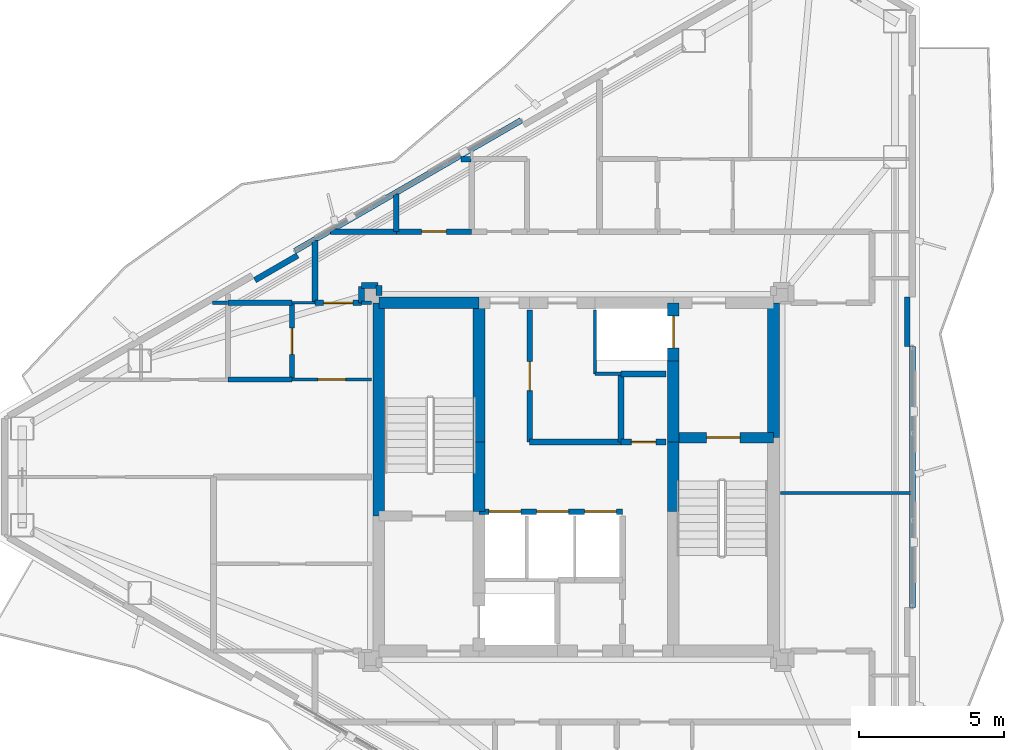
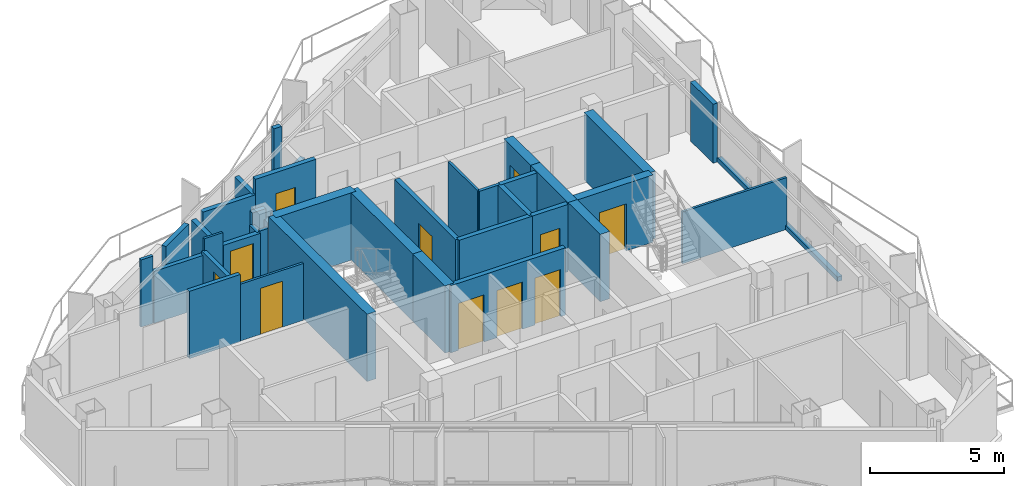
# One storey, part 18 of 22: 38 walls, 11 doors, 11 openings.
"""IFC4 building model written with IfcOpenShell, lengths in metres."""

from ifc_helpers import new_model, si_unit, direction, frame, frame_2d, origin, place, context, subcontext, project, spatial, rectangle, extrude, material, layer, layer_set, type_object, element, fill, save


model = new_model("IFC4")

# Units and contexts
model_context = context("Model", 3, precision=1e-05, world=origin(), true_north=direction((0.0, 1.0)))
body_context = subcontext(model_context, "Body", "Model", "MODEL_VIEW")
ifc_project = project(units=[si_unit("LENGTHUNIT", "METRE"), si_unit("AREAUNIT", "SQUARE_METRE"), si_unit("VOLUMEUNIT", "CUBIC_METRE"), si_unit("PLANEANGLEUNIT", "RADIAN"), si_unit("MASSUNIT", "GRAM", prefix="KILO")], contexts=[model_context])

# Site, building, storey
site_placement = place(None, origin())
site = spatial("IfcSite", under=ifc_project, at=site_placement, CompositionType="ELEMENT")
building_placement = place(site_placement, origin())
building = spatial("IfcBuilding", under=site, at=building_placement, Name="Mersakhor Tower and Convention Hall", CompositionType="ELEMENT")
storey_placement = place(building_placement, frame((0.0, 0.0, 195.300048828125)))
storey = spatial("IfcBuildingStorey", under=building, at=storey_placement, Name="L54", CompositionType="ELEMENT", Elevation=195.300048828125)

# Walls
ifc_material_1 = material(Name="Precast concrete C40/50", Category="concrete")
ifc_layer_1 = layer(ifc_material_1, 0.199951171875)
ifc_layer_set_1 = layer_set([ifc_layer_1], Name="Precast concrete C40/50")
wall_type_1 = type_object("IfcWallType", Name="WL-PAR-200", PredefinedType="PARAPET", material=ifc_layer_set_1)
wall_1_placement = place(storey_placement, frame((19.30908203125, 34.5361328125, 0.0), z_axis=(0.0, 0.0, 1.0), x_axis=(0.866020680503, 0.500008180874, 0.0)))
element("IfcWall", 1, at=wall_1_placement, inside=storey, type_object=wall_type_1, Name="L54 Curtain Wall Upstand Sill F1-B2", PredefinedType="PARAPET", context=body_context, shape_type="SweptSolid", body=[
    extrude(rectangle(XDim=8.998779296875, YDim=0.199951171875, at=frame_2d((4.49951171875, 0.0))), origin(), (0.0, 0.0, 1.0), 0.199951171875),
])
wall_2_placement = place(storey_placement, frame((17.927001953125, 33.5302734375, 0.0), z_axis=(0.0, 0.0, 1.0), x_axis=(0.86605165483, 0.499954529098, 0.0)))
element("IfcWall", 2, at=wall_2_placement, inside=storey, type_object=wall_type_1, Name="L54 Column Pier Cladding Wall F1-C1", PredefinedType="PARAPET", context=body_context, shape_type="SweptSolid", body=[
    extrude(rectangle(XDim=1.699951171875, YDim=0.199951171875, at=frame_2d((0.85009765625, 0.0))), origin(), (0.0, 0.0, 1.0), 2.68994140625),
])
wall_3_placement = place(storey_placement, frame((40.58837890625, 31.24951171875, 0.0), z_axis=(0.0, 0.0, 1.0), x_axis=(0.0, -1.0, 0.0)))
element("IfcWall", 3, at=wall_3_placement, inside=storey, type_object=wall_type_1, Name="L54 Curtain Wall Upstand Sill F2-B2", PredefinedType="PARAPET", context=body_context, shape_type="SweptSolid", body=[
    extrude(rectangle(XDim=8.9990234375, YDim=0.199951171875, at=frame_2d((4.49951171875, 0.0))), origin(), (0.0, 0.0, 1.0), 0.199951171875),
])
wall_4_placement = place(storey_placement, frame((40.408447265625, 32.949462890625, 0.0), z_axis=(0.0, 0.0, 1.0), x_axis=(0.0, -1.0, 0.0)))
element("IfcWall", 4, at=wall_4_placement, inside=storey, type_object=wall_type_1, Name="L54 Column Pier Cladding Wall F2-C1", PredefinedType="PARAPET", context=body_context, shape_type="SweptSolid", body=[
    extrude(rectangle(XDim=1.699951171875, YDim=0.199951171875, at=frame_2d((0.85009765625, 0.0))), origin(), (0.0, 0.0, 1.0), 2.68994140625),
])

# Wall, opening, door
ifc_material_2 = material(Name="Moisture-resistant acoustic drywall studwork", Category="other")
ifc_layer_2 = layer(ifc_material_2, 0.175048828125)
ifc_layer_set_2 = layer_set([ifc_layer_2], Name="Moisture-resistant acoustic drywall studwork")
wall_type_2 = type_object("IfcWallType", Name="WL-PLM-175", PredefinedType="PLUMBINGWALL", material=ifc_layer_set_2)
wall_5_placement = place(storey_placement, frame((19.199951171875, 30.10009765625, 0.0), z_axis=(0.0, 0.0, 1.0), x_axis=(0.0, 1.0, 0.0)))
wall_5 = element("IfcWall", 5, at=wall_5_placement, inside=storey, type_object=wall_type_2, Name="L54 Interior Partition Wall P-059", PredefinedType="PLUMBINGWALL", context=body_context, shape_type="SweptSolid", body=[
    extrude(rectangle(XDim=2.64990234375, YDim=0.175048828125, at=frame_2d((1.324951171875, 0.0))), origin(), (0.0, 0.0, 1.0), 2.518310546875),
])
opening_1_placement = place(wall_5_placement, frame((0.875, 0.0, 0.0)))
opening_1 = element("IfcOpeningElement", 6, at=opening_1_placement, cuts=wall_5, Name="Opening WD-01", PredefinedType="OPENING", context=body_context, shape_type="SweptSolid", body=[
    extrude(rectangle(XDim=0.89990234375, YDim=2.10009765625, at=frame_2d((0.449951171875, 1.050048828125))), frame((0.0, 0.097412109375, 0.0), z_axis=(0.0, -1.0, 0.0), x_axis=(1.0, 0.0, 0.0)), (0.0, 0.0, 1.0), 0.195068359375),
])
ifc_material_3 = material(Name="Solid-core hardwood leaf in painted steel frame", Category="steel")
door_type_1 = type_object("IfcDoorType", Name="DR-INT-WET-090x210", OperationType="NOTDEFINED", PredefinedType="DOOR", material=ifc_material_3)
door_1_placement = place(opening_1_placement, origin())
door_1 = element("IfcDoor", 7, at=door_1_placement, inside=storey, type_object=door_type_1, Name="L54 L54 Flat W4 Apartment Hall to L54 Flat W4 Bathroom Door", OperationType="SINGLE_SWING_LEFT", OverallHeight=2.10009765625, OverallWidth=0.89990234375, PredefinedType="DOOR", context=body_context, shape_type="SweptSolid", body=[
    extrude(rectangle(XDim=0.89990234375, YDim=2.10009765625, at=frame_2d((0.449951171875, 1.050048828125))), frame((0.0, 0.02490234375, 0.0), z_axis=(0.0, -1.0, 0.0), x_axis=(1.0, 0.0, 0.0)), (0.0, 0.0, 1.0), 0.050048828125),
])
fill(opening_1, door_1)

# Walls
wall_6_placement = place(storey_placement, frame((17.0, 32.75, 0.0), z_axis=(0.0, 0.0, 1.0), x_axis=(1.0, 0.0, 0.0)))
element("IfcWall", 8, at=wall_6_placement, inside=storey, type_object=wall_type_2, Name="L54 Interior Partition Wall P-076", PredefinedType="PLUMBINGWALL", context=body_context, shape_type="SweptSolid", body=[
    extrude(rectangle(XDim=2.199951171875, YDim=0.175048828125, at=frame_2d((1.10009765625, 0.0))), origin(), (0.0, 0.0, 1.0), 2.364990234375),
])
wall_7_placement = place(storey_placement, frame((19.199951171875, 30.10009765625, 0.0), z_axis=(0.0, 0.0, 1.0), x_axis=(-1.0, 0.0, 0.0)))
element("IfcWall", 9, at=wall_7_placement, inside=storey, type_object=wall_type_2, Name="L54 Interior Partition Wall P-077", PredefinedType="PLUMBINGWALL", context=body_context, shape_type="SweptSolid", body=[
    extrude(rectangle(XDim=2.199951171875, YDim=0.175048828125, at=frame_2d((1.10009765625, 0.0))), origin(), (0.0, 0.0, 1.0), 3.070068359375),
])
ifc_material_4 = material(Name="Lightweight gypsum partition", Category="other")
ifc_layer_3 = layer(ifc_material_4, 0.10009765625)
ifc_layer_set_3 = layer_set([ifc_layer_3], Name="Lightweight gypsum partition")
wall_type_3 = type_object("IfcWallType", Name="WL-PRT-100", PredefinedType="PARTITIONING", material=ifc_layer_set_3)
wall_8_placement = place(storey_placement, frame((29.64990234375, 30.300048828125, 0.0), z_axis=(0.0, 0.0, 1.0), x_axis=(0.0, 1.0, 0.0)))
element("IfcWall", 10, at=wall_8_placement, inside=storey, type_object=wall_type_3, Name="L54 Interior Partition Wall P-006", PredefinedType="PARTITIONING", context=body_context, shape_type="SweptSolid", body=[
    extrude(rectangle(XDim=2.199951171875, YDim=0.10009765625, at=frame_2d((1.10009765625, 0.0))), origin(), (0.0, 0.0, 1.0), 3.070068359375),
])
wall_9_placement = place(storey_placement, frame((19.199951171875, 32.75, 0.0), z_axis=(0.0, 0.0, 1.0), x_axis=(1.0, 0.0, 0.0)))
element("IfcWall", 11, at=wall_9_placement, inside=storey, type_object=wall_type_3, Name="L54 Interior Partition Wall P-056", PredefinedType="PARTITIONING", context=body_context, shape_type="SweptSolid", body=[
    extrude(rectangle(XDim=0.800048828125, YDim=0.10009765625, at=frame_2d((0.39990234375, 0.0))), origin(), (0.0, 0.0, 1.0), 3.070068359375),
])

# Wall, opening, door
wall_10_placement = place(storey_placement, frame((21.949951171875, 30.10009765625, 0.0), z_axis=(0.0, 0.0, 1.0), x_axis=(-1.0, 0.0, 0.0)))
wall_10 = element("IfcWall", 12, at=wall_10_placement, inside=storey, type_object=wall_type_3, Name="L54 Interior Partition Wall P-058", PredefinedType="PARTITIONING", context=body_context, shape_type="SweptSolid", body=[
    extrude(rectangle(XDim=2.75, YDim=0.10009765625, at=frame_2d((1.375, 0.0))), origin(), (0.0, 0.0, 1.0), 2.594970703125),
])
opening_2_placement = place(wall_10_placement, frame((0.89990234375, 0.0, 0.0)))
opening_2 = element("IfcOpeningElement", 13, at=opening_2_placement, cuts=wall_10, Name="Opening RD-01", PredefinedType="OPENING", context=body_context, shape_type="SweptSolid", body=[
    extrude(rectangle(XDim=0.949951171875, YDim=2.10009765625, at=frame_2d((0.47509765625, 1.050048828125))), frame((0.0, 0.06005859375, 0.0), z_axis=(0.0, -1.0, 0.0), x_axis=(1.0, 0.0, 0.0)), (0.0, 0.0, 1.0), 0.1201171875),
])
ifc_material_5 = material(Name="Solid-core hardwood leaf in painted steel frame", Category="steel")
door_type_2 = type_object("IfcDoorType", Name="DR-INT-RM-095x210", OperationType="NOTDEFINED", PredefinedType="DOOR", material=ifc_material_5)
door_2_placement = place(opening_2_placement, origin())
door_2 = element("IfcDoor", 14, at=door_2_placement, inside=storey, type_object=door_type_2, Name="L54 L54 Flat W4 Apartment Hall to L54 Flat W4 Living and Dining Room Door", OperationType="SINGLE_SWING_RIGHT", OverallHeight=2.10009765625, OverallWidth=0.949951171875, PredefinedType="DOOR", context=body_context, shape_type="SweptSolid", body=[
    extrude(rectangle(XDim=0.949951171875, YDim=2.10009765625, at=frame_2d((0.47509765625, 1.050048828125))), frame((0.0, 0.02490234375, 0.0), z_axis=(0.0, -1.0, 0.0), x_axis=(1.0, 0.0, 0.0)), (0.0, 0.0, 1.0), 0.050048828125),
])
fill(opening_2, door_2)

# Walls
wall_11_placement = place(storey_placement, frame((40.55029296875, 26.199951171875, 0.0), z_axis=(0.0, 0.0, 1.0), x_axis=(-1.0, 0.0, 0.0)))
element("IfcWall", 15, at=wall_11_placement, inside=storey, type_object=wall_type_3, Name="L54 Interior Partition Wall P-092", PredefinedType="PARTITIONING", context=body_context, shape_type="SweptSolid", body=[
    extrude(rectangle(XDim=4.500244140625, YDim=0.10009765625, at=frame_2d((2.25, 0.0))), origin(), (0.0, 0.0, 1.0), 2.364990234375),
])
ifc_material_6 = material(Name="Gypsum board acoustic partition", Category="other")
ifc_layer_4 = layer(ifc_material_6, 0.125)
ifc_layer_set_4 = layer_set([ifc_layer_4], Name="Gypsum board acoustic partition")
wall_type_4 = type_object("IfcWallType", Name="WL-PRT-125", PredefinedType="PARTITIONING", material=ifc_layer_set_4)
wall_12_placement = place(storey_placement, frame((30.550048828125, 30.300048828125, 0.0), z_axis=(0.0, 0.0, 1.0), x_axis=(-1.0, 0.0, 0.0)))
element("IfcWall", 16, at=wall_12_placement, inside=storey, type_object=wall_type_4, Name="L54 Interior Partition Wall P-005", PredefinedType="PARTITIONING", context=body_context, shape_type="SweptSolid", body=[
    extrude(rectangle(XDim=0.900146484375, YDim=0.125, at=frame_2d((0.4501953125, 0.0))), origin(), (0.0, 0.0, 1.0), 3.070068359375),
])
wall_13_placement = place(storey_placement, frame((21.60009765625, 32.75, 0.0), z_axis=(0.0, 0.0, 1.0), x_axis=(1.0, 0.0, 0.0)))
element("IfcWall", 17, at=wall_13_placement, inside=storey, type_object=wall_type_4, Name="L54 Interior Partition Wall P-057", PredefinedType="PARTITIONING", context=body_context, shape_type="SweptSolid", body=[
    extrude(rectangle(XDim=0.349853515625, YDim=0.125, at=frame_2d((0.1748046875, 0.0))), origin(), (0.0, 0.0, 1.0), 2.594970703125),
])
wall_14_placement = place(storey_placement, frame((16.463623046875, 32.75, 0.0), z_axis=(0.0, 0.0, 1.0), x_axis=(1.0, 0.0, 0.0)))
element("IfcWall", 18, at=wall_14_placement, inside=storey, type_object=wall_type_4, Name="L54 Interior Partition Wall P-081", PredefinedType="PARTITIONING", context=body_context, shape_type="SweptSolid", body=[
    extrude(rectangle(XDim=0.521484375, YDim=0.125, at=frame_2d((0.2607421875, 0.0))), origin(), (0.0, 0.0, 1.0), 3.070068359375),
])

# Wall, openings, doors
ifc_material_7 = material(Name="Acoustic concrete blockwork and gypsum board", Category="masonry")
ifc_layer_5 = layer(ifc_material_7, 0.199951171875)
ifc_layer_set_5 = layer_set([ifc_layer_5], Name="Acoustic concrete blockwork and gypsum board")
wall_type_5 = type_object("IfcWallType", Name="WL-PRT-200", PredefinedType="PARTITIONING", material=ifc_layer_set_5)
wall_15_placement = place(storey_placement, frame((25.64990234375, 25.550048828125, 0.0), z_axis=(0.0, 0.0, 1.0), x_axis=(1.0, 0.0, 0.0)))
wall_15 = element("IfcWall", 19, at=wall_15_placement, inside=storey, type_object=wall_type_5, Name="L54 High-Rise Lift Bank Front Wall", PredefinedType="PARTITIONING", context=body_context, shape_type="SweptSolid", body=[
    extrude(rectangle(XDim=4.9501953125, YDim=0.199951171875, at=frame_2d((2.47509765625, 0.0))), origin(), (0.0, 0.0, 1.0), 3.070068359375),
])
opening_3_placement = place(wall_15_placement, frame((0.340087890625, 0.0, 0.0)))
opening_3 = element("IfcOpeningElement", 20, at=opening_3_placement, cuts=wall_15, Name="Opening LD-P4", PredefinedType="OPENING", context=body_context, shape_type="SweptSolid", body=[
    extrude(rectangle(XDim=1.10009765625, YDim=2.14990234375, at=frame_2d((0.550048828125, 1.074951171875))), frame((0.0, 0.10986328125, 0.0), z_axis=(0.0, -1.0, 0.0), x_axis=(1.0, 0.0, 0.0)), (0.0, 0.0, 1.0), 0.219970703125),
])
opening_4_placement = place(wall_15_placement, frame((1.989990234375, 0.0, 0.0)))
opening_4 = element("IfcOpeningElement", 21, at=opening_4_placement, cuts=wall_15, Name="Opening LD-P5", PredefinedType="OPENING", context=body_context, shape_type="SweptSolid", body=[
    extrude(rectangle(XDim=1.10009765625, YDim=2.14990234375, at=frame_2d((0.550048828125, 1.074951171875))), frame((0.0, 0.10986328125, 0.0), z_axis=(0.0, -1.0, 0.0), x_axis=(1.0, 0.0, 0.0)), (0.0, 0.0, 1.0), 0.219970703125),
])
opening_5_placement = place(wall_15_placement, frame((3.639892578125, 0.0, 0.0)))
opening_5 = element("IfcOpeningElement", 22, at=opening_5_placement, cuts=wall_15, Name="Opening LD-P6", PredefinedType="OPENING", context=body_context, shape_type="SweptSolid", body=[
    extrude(rectangle(XDim=1.10009765625, YDim=2.14990234375, at=frame_2d((0.550048828125, 1.074951171875))), frame((0.0, 0.10986328125, 0.0), z_axis=(0.0, -1.0, 0.0), x_axis=(1.0, 0.0, 0.0)), (0.0, 0.0, 1.0), 0.219970703125),
])
ifc_material_8 = material(Name="Fire-rated brushed stainless steel sliding landing door", Category="steel")
door_type_3 = type_object("IfcDoorType", Name="DR-LIFT-SLD-110x215", OperationType="NOTDEFINED", PredefinedType="DOOR", material=ifc_material_8)
door_3_placement = place(opening_3_placement, origin())
door_3 = element("IfcDoor", 23, at=door_3_placement, inside=storey, type_object=door_type_3, Name="L54 Lift Landing Door LD-P4", OperationType="SLIDING_TO_LEFT", OverallHeight=2.14990234375, OverallWidth=1.10009765625, PredefinedType="DOOR", context=body_context, shape_type="SweptSolid", body=[
    extrude(rectangle(XDim=1.10009765625, YDim=2.14990234375, at=frame_2d((0.550048828125, 1.074951171875))), frame((0.0, 0.02490234375, 0.0), z_axis=(0.0, -1.0, 0.0), x_axis=(1.0, 0.0, 0.0)), (0.0, 0.0, 1.0), 0.050048828125),
])
fill(opening_3, door_3)
door_4_placement = place(opening_4_placement, origin())
door_4 = element("IfcDoor", 24, at=door_4_placement, inside=storey, type_object=door_type_3, Name="L54 Lift Landing Door LD-P5", OperationType="SLIDING_TO_LEFT", OverallHeight=2.14990234375, OverallWidth=1.10009765625, PredefinedType="DOOR", context=body_context, shape_type="SweptSolid", body=[
    extrude(rectangle(XDim=1.10009765625, YDim=2.14990234375, at=frame_2d((0.550048828125, 1.074951171875))), frame((0.0, 0.02490234375, 0.0), z_axis=(0.0, -1.0, 0.0), x_axis=(1.0, 0.0, 0.0)), (0.0, 0.0, 1.0), 0.050048828125),
])
fill(opening_4, door_4)
door_5_placement = place(opening_5_placement, origin())
door_5 = element("IfcDoor", 25, at=door_5_placement, inside=storey, type_object=door_type_3, Name="L54 Lift Landing Door LD-P6", OperationType="SLIDING_TO_LEFT", OverallHeight=2.14990234375, OverallWidth=1.10009765625, PredefinedType="DOOR", context=body_context, shape_type="SweptSolid", body=[
    extrude(rectangle(XDim=1.10009765625, YDim=2.14990234375, at=frame_2d((0.550048828125, 1.074951171875))), frame((0.0, 0.02490234375, 0.0), z_axis=(0.0, -1.0, 0.0), x_axis=(1.0, 0.0, 0.0)), (0.0, 0.0, 1.0), 0.050048828125),
])
fill(opening_5, door_5)

# Wall
wall_16_placement = place(storey_placement, frame((32.10009765625, 30.300048828125, 0.0), z_axis=(0.0, 0.0, 1.0), x_axis=(-1.0, 0.0, 0.0)))
element("IfcWall", 26, at=wall_16_placement, inside=storey, type_object=wall_type_5, Name="L54 Interior Partition Wall P-004", PredefinedType="PARTITIONING", context=body_context, shape_type="SweptSolid", body=[
    extrude(rectangle(XDim=1.550048828125, YDim=0.199951171875, at=frame_2d((0.77490234375, 0.0))), origin(), (0.0, 0.0, 1.0), 3.070068359375),
])

# Wall, opening, door
wall_17_placement = place(storey_placement, frame((27.39990234375, 32.5, 0.0), z_axis=(0.0, 0.0, 1.0), x_axis=(0.0, -1.0, 0.0)))
wall_17 = element("IfcWall", 27, at=wall_17_placement, inside=storey, type_object=wall_type_5, Name="L54 Interior Partition Wall P-013", PredefinedType="PARTITIONING", context=body_context, shape_type="SweptSolid", body=[
    extrude(rectangle(XDim=4.550048828125, YDim=0.199951171875, at=frame_2d((2.27490234375, 0.0))), origin(), (0.0, 0.0, 1.0), 3.070068359375),
])
opening_6_placement = place(wall_17_placement, frame((1.77490234375, 0.0, 0.0)))
opening_6 = element("IfcOpeningElement", 28, at=opening_6_placement, cuts=wall_17, Name="Opening FD-01", PredefinedType="OPENING", context=body_context, shape_type="SweptSolid", body=[
    extrude(rectangle(XDim=1.0, YDim=2.14990234375, at=frame_2d((0.5, 1.074951171875))), frame((0.0, 0.10986328125, 0.0), z_axis=(0.0, -1.0, 0.0), x_axis=(1.0, 0.0, 0.0)), (0.0, 0.0, 1.0), 0.219970703125),
])
ifc_material_9 = material(Name="Fire-rated hardwood leaf and painted steel frame", Category="steel")
door_type_4 = type_object("IfcDoorType", Name="DR-INT-FLT-100x215", OperationType="NOTDEFINED", PredefinedType="DOOR", material=ifc_material_9)
door_6_placement = place(opening_6_placement, origin())
door_6 = element("IfcDoor", 29, at=door_6_placement, inside=storey, type_object=door_type_4, Name="L54 Central Passenger Lift Lobby to Quiet Core Study Room Door", OperationType="SINGLE_SWING_LEFT", OverallHeight=2.14990234375, OverallWidth=1.0, PredefinedType="DOOR", context=body_context, shape_type="SweptSolid", body=[
    extrude(rectangle(XDim=1.0, YDim=2.14990234375, at=frame_2d((0.5, 1.074951171875))), frame((0.0, 0.02490234375, 0.0), z_axis=(0.0, -1.0, 0.0), x_axis=(1.0, 0.0, 0.0)), (0.0, 0.0, 1.0), 0.050048828125),
])
fill(opening_6, door_6)

# Wall
wall_18_placement = place(storey_placement, frame((27.39990234375, 27.949951171875, 0.0), z_axis=(0.0, 0.0, 1.0), x_axis=(1.0, 0.0, 0.0)))
element("IfcWall", 30, at=wall_18_placement, inside=storey, type_object=wall_type_5, Name="L54 Interior Partition Wall P-014", PredefinedType="PARTITIONING", context=body_context, shape_type="SweptSolid", body=[
    extrude(rectangle(XDim=3.150146484375, YDim=0.199951171875, at=frame_2d((1.5751953125, 0.0))), origin(), (0.0, 0.0, 1.0), 3.070068359375),
])

# Wall, opening, door
wall_19_placement = place(storey_placement, frame((30.550048828125, 27.949951171875, 0.0), z_axis=(0.0, 0.0, 1.0), x_axis=(1.0, 0.0, 0.0)))
wall_19 = element("IfcWall", 31, at=wall_19_placement, inside=storey, type_object=wall_type_5, Name="L54 Interior Partition Wall P-015", PredefinedType="PARTITIONING", context=body_context, shape_type="SweptSolid", body=[
    extrude(rectangle(XDim=1.550048828125, YDim=0.199951171875, at=frame_2d((0.77490234375, 0.0))), origin(), (0.0, 0.0, 1.0), 3.070068359375),
])
opening_7_placement = place(wall_19_placement, frame((0.35009765625, 0.0, 0.0)))
opening_7 = element("IfcOpeningElement", 32, at=opening_7_placement, cuts=wall_19, Name="Opening SVD-01", PredefinedType="OPENING", context=body_context, shape_type="SweptSolid", body=[
    extrude(rectangle(XDim=0.85009765625, YDim=2.10009765625, at=frame_2d((0.425048828125, 1.050048828125))), frame((0.0, 0.10986328125, 0.0), z_axis=(0.0, -1.0, 0.0), x_axis=(1.0, 0.0, 0.0)), (0.0, 0.0, 1.0), 0.219970703125),
])
ifc_material_10 = material(Name="Fire-rated hardwood leaf and painted steel frame", Category="steel")
door_type_5 = type_object("IfcDoorType", Name="DR-INT-SVC-085x210", OperationType="NOTDEFINED", PredefinedType="DOOR", material=ifc_material_10)
door_7_placement = place(opening_7_placement, origin())
door_7 = element("IfcDoor", 33, at=door_7_placement, inside=storey, type_object=door_type_5, Name="L54 Central Passenger Lift Lobby to Housekeeping Linen Store Room Door", OperationType="SINGLE_SWING_RIGHT", OverallHeight=2.10009765625, OverallWidth=0.85009765625, PredefinedType="DOOR", context=body_context, shape_type="SweptSolid", body=[
    extrude(rectangle(XDim=0.85009765625, YDim=2.10009765625, at=frame_2d((0.425048828125, 1.050048828125))), frame((0.0, 0.02490234375, 0.0), z_axis=(0.0, -1.0, 0.0), x_axis=(1.0, 0.0, 0.0)), (0.0, 0.0, 1.0), 0.050048828125),
])
fill(opening_7, door_7)

# Walls
wall_20_placement = place(storey_placement, frame((22.199951171875, 33.0, 0.0), z_axis=(0.0, 0.0, 1.0), x_axis=(0.0, 1.0, 0.0)))
element("IfcWall", 34, at=wall_20_placement, inside=storey, type_object=wall_type_5, Name="L54 Interior Partition Wall P-022", PredefinedType="PARTITIONING", context=body_context, shape_type="SweptSolid", body=[
    extrude(rectangle(XDim=0.35009765625, YDim=0.199951171875, at=frame_2d((0.175048828125, 0.0))), origin(), (0.0, 0.0, 1.0), 2.594970703125),
])
wall_21_placement = place(storey_placement, frame((22.169921875, 33.35009765625, 0.0), z_axis=(0.0, 0.0, 1.0), x_axis=(-1.0, 0.0, 0.0)))
element("IfcWall", 35, at=wall_21_placement, inside=storey, type_object=wall_type_5, Name="L54 Interior Partition Wall P-023", PredefinedType="PARTITIONING", context=body_context, shape_type="SweptSolid", body=[
    extrude(rectangle(XDim=0.56982421875, YDim=0.199951171875, at=frame_2d((0.284912109375, 0.0))), origin(), (0.0, 0.0, 1.0), 3.070068359375),
])
wall_22_placement = place(storey_placement, frame((21.60009765625, 33.320068359375, 0.0), z_axis=(0.0, 0.0, 1.0), x_axis=(0.0, -1.0, 0.0)))
element("IfcWall", 36, at=wall_22_placement, inside=storey, type_object=wall_type_5, Name="L54 Interior Partition Wall P-024", PredefinedType="PARTITIONING", context=body_context, shape_type="SweptSolid", body=[
    extrude(rectangle(XDim=0.570068359375, YDim=0.199951171875, at=frame_2d((0.28515625, 0.0))), origin(), (0.0, 0.0, 1.0), 2.518310546875),
])

# Wall, opening, door
wall_23_placement = place(storey_placement, frame((21.60009765625, 32.75, 0.0), z_axis=(0.0, 0.0, 1.0), x_axis=(-1.0, 0.0, 0.0)))
wall_23 = element("IfcWall", 37, at=wall_23_placement, inside=storey, type_object=wall_type_5, Name="L54 Interior Partition Wall P-025", PredefinedType="PARTITIONING", context=body_context, shape_type="SweptSolid", body=[
    extrude(rectangle(XDim=1.60009765625, YDim=0.199951171875, at=frame_2d((0.800048828125, 0.0))), origin(), (0.0, 0.0, 1.0), 2.518310546875),
])
opening_8_placement = place(wall_23_placement, frame((0.300048828125, 0.0, 0.0)))
opening_8 = element("IfcOpeningElement", 38, at=opening_8_placement, cuts=wall_23, Name="Opening FD-01", PredefinedType="OPENING", context=body_context, shape_type="SweptSolid", body=[
    extrude(rectangle(XDim=1.0, YDim=2.14990234375, at=frame_2d((0.5, 1.074951171875))), frame((0.0, 0.10986328125, 0.0), z_axis=(0.0, -1.0, 0.0), x_axis=(1.0, 0.0, 0.0)), (0.0, 0.0, 1.0), 0.219970703125),
])
door_8_placement = place(opening_8_placement, origin())
door_8 = element("IfcDoor", 39, at=door_8_placement, inside=storey, type_object=door_type_4, Name="L54 Apartment Entrance Door (Residential North Gallery Corridor to L54 Flat W4 Apartment Hall)", OperationType="SINGLE_SWING_LEFT", OverallHeight=2.14990234375, OverallWidth=1.0, PredefinedType="DOOR", context=body_context, shape_type="SweptSolid", body=[
    extrude(rectangle(XDim=1.0, YDim=2.14990234375, at=frame_2d((0.5, 1.074951171875))), frame((0.0, 0.02490234375, 0.0), z_axis=(0.0, -1.0, 0.0), x_axis=(1.0, 0.0, 0.0)), (0.0, 0.0, 1.0), 0.050048828125),
])
fill(opening_8, door_8)

# Walls
wall_24_placement = place(storey_placement, frame((20.0, 32.75, 0.0), z_axis=(0.0, 0.0, 1.0), x_axis=(0.0, 1.0, 0.0)))
element("IfcWall", 40, at=wall_24_placement, inside=storey, type_object=wall_type_5, Name="L54 Interior Partition Wall P-026", PredefinedType="PARTITIONING", context=body_context, shape_type="SweptSolid", body=[
    extrude(rectangle(XDim=2.14111328125, YDim=0.199951171875, at=frame_2d((1.070556640625, 0.0))), origin(), (0.0, 0.0, 1.0), 2.364990234375),
])
wall_25_placement = place(storey_placement, frame((20.5283203125, 35.199951171875, 0.0), z_axis=(0.0, 0.0, 1.0), x_axis=(1.0, 0.0, 0.0)))
element("IfcWall", 41, at=wall_25_placement, inside=storey, type_object=wall_type_5, Name="L54 Interior Partition Wall P-027", PredefinedType="PARTITIONING", context=body_context, shape_type="SweptSolid", body=[
    extrude(rectangle(XDim=2.271728515625, YDim=0.199951171875, at=frame_2d((1.1357421875, 0.0))), origin(), (0.0, 0.0, 1.0), 2.364990234375),
])

# Wall, opening, door
wall_26_placement = place(storey_placement, frame((22.800048828125, 35.199951171875, 0.0), z_axis=(0.0, 0.0, 1.0), x_axis=(1.0, 0.0, 0.0)))
wall_26 = element("IfcWall", 42, at=wall_26_placement, inside=storey, type_object=wall_type_5, Name="L54 Interior Partition Wall P-028", PredefinedType="PARTITIONING", context=body_context, shape_type="SweptSolid", body=[
    extrude(rectangle(XDim=2.599853515625, YDim=0.199951171875, at=frame_2d((1.2998046875, 0.0))), origin(), (0.0, 0.0, 1.0), 3.070068359375),
])
opening_9_placement = place(wall_26_placement, frame((0.875, 0.0, 0.0)))
opening_9 = element("IfcOpeningElement", 43, at=opening_9_placement, cuts=wall_26, Name="Opening SVD-01", PredefinedType="OPENING", context=body_context, shape_type="SweptSolid", body=[
    extrude(rectangle(XDim=0.85009765625, YDim=2.10009765625, at=frame_2d((0.425048828125, 1.050048828125))), frame((0.0, 0.10986328125, 0.0), z_axis=(0.0, -1.0, 0.0), x_axis=(1.0, 0.0, 0.0)), (0.0, 0.0, 1.0), 0.219970703125),
])
door_9_placement = place(opening_9_placement, origin())
door_9 = element("IfcDoor", 44, at=door_9_placement, inside=storey, type_object=door_type_5, Name="L54 Residential North Gallery Corridor to L54 Floor Household Store Room 1-1 Door", OperationType="SINGLE_SWING_LEFT", OverallHeight=2.10009765625, OverallWidth=0.85009765625, PredefinedType="DOOR", context=body_context, shape_type="SweptSolid", body=[
    extrude(rectangle(XDim=0.85009765625, YDim=2.10009765625, at=frame_2d((0.425048828125, 1.050048828125))), frame((0.0, 0.02490234375, 0.0), z_axis=(0.0, -1.0, 0.0), x_axis=(1.0, 0.0, 0.0)), (0.0, 0.0, 1.0), 0.050048828125),
])
fill(opening_9, door_9)

# Walls
wall_27_placement = place(storey_placement, frame((30.550048828125, 30.300048828125, 0.0), z_axis=(0.0, 0.0, 1.0), x_axis=(0.0, -1.0, 0.0)))
element("IfcWall", 45, at=wall_27_placement, inside=storey, type_object=wall_type_5, Name="L54 Interior Partition Wall P-082", PredefinedType="PARTITIONING", context=body_context, shape_type="SweptSolid", body=[
    extrude(rectangle(XDim=2.35009765625, YDim=0.199951171875, at=frame_2d((1.175048828125, 0.0))), origin(), (0.0, 0.0, 1.0), 3.070068359375),
])
wall_28_placement = place(storey_placement, frame((25.0380859375, 37.699951171875, 0.0), z_axis=(0.0, 0.0, 1.0), x_axis=(1.0, 0.0, 0.0)))
element("IfcWall", 46, at=wall_28_placement, inside=storey, type_object=wall_type_5, Name="L54 Interior Partition Wall P-095", PredefinedType="PARTITIONING", context=body_context, shape_type="SweptSolid", body=[
    extrude(rectangle(XDim=0.33203125, YDim=0.199951171875, at=frame_2d((0.166015625, 0.0))), origin(), (0.0, 0.0, 1.0), 3.070068359375),
])
wall_29_placement = place(storey_placement, frame((22.800048828125, 35.199951171875, 0.0), z_axis=(0.0, 0.0, 1.0), x_axis=(0.0, 1.0, 0.0)))
element("IfcWall", 47, at=wall_29_placement, inside=storey, type_object=wall_type_5, Name="L54 Interior Partition Wall P-096", PredefinedType="PARTITIONING", context=body_context, shape_type="SweptSolid", body=[
    extrude(rectangle(XDim=1.307861328125, YDim=0.199951171875, at=frame_2d((0.65380859375, 0.0))), origin(), (0.0, 0.0, 1.0), 2.364990234375),
])

# Wall, opening, door
ifc_material_11 = material(Name="Concrete C50/60", Category="concrete")
ifc_layer_6 = layer(ifc_material_11, 0.35009765625)
ifc_layer_set_6 = layer_set([ifc_layer_6], Name="Concrete C50/60")
wall_type_6 = type_object("IfcWallType", Name="WL-SHR-350", PredefinedType="SHEAR", material=ifc_layer_set_6)
wall_30_placement = place(storey_placement, frame((32.35009765625, 28.10009765625, 0.0), z_axis=(0.0, 0.0, 1.0), x_axis=(1.0, 0.0, 0.0)))
wall_30 = element("IfcWall", 48, at=wall_30_placement, inside=storey, type_object=wall_type_6, Name="L54 Core Wall CS-ST2-N", PredefinedType="SHEAR", context=body_context, shape_type="SweptSolid", body=[
    extrude(rectangle(XDim=3.449951171875, YDim=0.35009765625, at=frame_2d((1.72509765625, 0.0))), origin(), (0.0, 0.0, 1.0), 3.070068359375),
])
opening_10_placement = place(wall_30_placement, frame((1.14990234375, 0.0, 0.0)))
opening_10 = element("IfcOpeningElement", 49, at=opening_10_placement, cuts=wall_30, Name="Opening SD-01", PredefinedType="OPENING", context=body_context, shape_type="SweptSolid", body=[
    extrude(rectangle(XDim=1.14990234375, YDim=2.14990234375, at=frame_2d((0.574951171875, 1.074951171875))), frame((0.0, 0.18505859375, 0.0), z_axis=(0.0, -1.0, 0.0), x_axis=(1.0, 0.0, 0.0)), (0.0, 0.0, 1.0), 0.3701171875),
])
ifc_material_12 = material(Name="Fire-rated hardwood leaf and painted steel frame", Category="steel")
door_type_6 = type_object("IfcDoorType", Name="DR-INT-STAIR-115x215", OperationType="NOTDEFINED", PredefinedType="DOOR", material=ifc_material_12)
door_10_placement = place(opening_10_placement, origin())
door_10 = element("IfcDoor", 50, at=door_10_placement, inside=storey, type_object=door_type_6, Name="L54 Exit Stair ST-2 Enclosure Door", OperationType="SINGLE_SWING_RIGHT", OverallHeight=2.14990234375, OverallWidth=1.14990234375, PredefinedType="DOOR", context=body_context, shape_type="SweptSolid", body=[
    extrude(rectangle(XDim=1.14990234375, YDim=2.14990234375, at=frame_2d((0.574951171875, 1.074951171875))), frame((0.0, 0.02490234375, 0.0), z_axis=(0.0, -1.0, 0.0), x_axis=(1.0, 0.0, 0.0)), (0.0, 0.0, 1.0), 0.050048828125),
])
fill(opening_10, door_10)

# Walls
ifc_material_13 = material(Name="Concrete C60/75", Category="concrete")
ifc_layer_7 = layer(ifc_material_13, 0.39990234375)
ifc_layer_set_7 = layer_set([ifc_layer_7], Name="Concrete C60/75")
wall_type_7 = type_object("IfcWallType", Name="WL-SHR-400", PredefinedType="SHEAR", material=ifc_layer_set_7)
wall_31_placement = place(storey_placement, frame((22.199951171875, 25.39990234375, 0.0), z_axis=(0.0, 0.0, 1.0), x_axis=(0.0, 1.0, 0.0)))
element("IfcWall", 51, at=wall_31_placement, inside=storey, type_object=wall_type_7, Name="L54 Core Wall CW-W2", PredefinedType="SHEAR", context=body_context, shape_type="SweptSolid", body=[
    extrude(rectangle(XDim=7.35009765625, YDim=0.39990234375, at=frame_2d((3.675048828125, 0.0))), origin(), (0.0, 0.0, 1.0), 3.070068359375),
])
wall_32_placement = place(storey_placement, frame((22.199951171875, 32.75, 0.0), z_axis=(0.0, 0.0, 1.0), x_axis=(1.0, 0.0, 0.0)))
element("IfcWall", 52, at=wall_32_placement, inside=storey, type_object=wall_type_7, Name="L54 Core Wall CW-N1", PredefinedType="SHEAR", context=body_context, shape_type="SweptSolid", body=[
    extrude(rectangle(XDim=3.449951171875, YDim=0.39990234375, at=frame_2d((1.72509765625, 0.0))), origin(), (0.0, 0.0, 1.0), 3.070068359375),
])
wall_33_placement = place(storey_placement, frame((35.800048828125, 32.75, 0.0), z_axis=(0.0, 0.0, 1.0), x_axis=(0.0, -1.0, 0.0)))
element("IfcWall", 53, at=wall_33_placement, inside=storey, type_object=wall_type_7, Name="L54 Core Wall CW-E1", PredefinedType="SHEAR", context=body_context, shape_type="SweptSolid", body=[
    extrude(rectangle(XDim=4.64990234375, YDim=0.39990234375, at=frame_2d((2.324951171875, 0.0))), origin(), (0.0, 0.0, 1.0), 3.070068359375),
])
wall_34_placement = place(storey_placement, frame((25.64990234375, 25.550048828125, 0.0), z_axis=(0.0, 0.0, 1.0), x_axis=(0.0, 1.0, 0.0)))
element("IfcWall", 54, at=wall_34_placement, inside=storey, type_object=wall_type_7, Name="L54 Core Wall CS-W-LOB", PredefinedType="SHEAR", context=body_context, shape_type="SweptSolid", body=[
    extrude(rectangle(XDim=2.39990234375, YDim=0.39990234375, at=frame_2d((1.199951171875, 0.0))), origin(), (0.0, 0.0, 1.0), 3.070068359375),
])
wall_35_placement = place(storey_placement, frame((25.64990234375, 27.949951171875, 0.0), z_axis=(0.0, 0.0, 1.0), x_axis=(0.0, 1.0, 0.0)))
element("IfcWall", 55, at=wall_35_placement, inside=storey, type_object=wall_type_7, Name="L54 Core Wall CS-W-ST1", PredefinedType="SHEAR", context=body_context, shape_type="SweptSolid", body=[
    extrude(rectangle(XDim=4.800048828125, YDim=0.39990234375, at=frame_2d((2.39990234375, 0.0))), origin(), (0.0, 0.0, 1.0), 3.070068359375),
])
wall_36_placement = place(storey_placement, frame((32.35009765625, 25.550048828125, 0.0), z_axis=(0.0, 0.0, 1.0), x_axis=(0.0, 1.0, 0.0)))
element("IfcWall", 56, at=wall_36_placement, inside=storey, type_object=wall_type_7, Name="L54 Core Wall CS-E-LOB", PredefinedType="SHEAR", context=body_context, shape_type="SweptSolid", body=[
    extrude(rectangle(XDim=2.39990234375, YDim=0.39990234375, at=frame_2d((1.199951171875, 0.0))), origin(), (0.0, 0.0, 1.0), 3.070068359375),
])
wall_37_placement = place(storey_placement, frame((32.35009765625, 27.949951171875, 0.0), z_axis=(0.0, 0.0, 1.0), x_axis=(0.0, 1.0, 0.0)))
element("IfcWall", 57, at=wall_37_placement, inside=storey, type_object=wall_type_7, Name="L54 Core Wall CS-E-MID", PredefinedType="SHEAR", context=body_context, shape_type="SweptSolid", body=[
    extrude(rectangle(XDim=2.800048828125, YDim=0.39990234375, at=frame_2d((1.39990234375, 0.0))), origin(), (0.0, 0.0, 1.0), 3.070068359375),
])

# Wall, opening, door
wall_38_placement = place(storey_placement, frame((32.35009765625, 30.75, 0.0), z_axis=(0.0, 0.0, 1.0), x_axis=(0.0, 1.0, 0.0)))
wall_38 = element("IfcWall", 58, at=wall_38_placement, inside=storey, type_object=wall_type_7, Name="L54 Core Wall CS-E-FFL", PredefinedType="SHEAR", context=body_context, shape_type="SweptSolid", body=[
    extrude(rectangle(XDim=2.0, YDim=0.39990234375, at=frame_2d((1.0, 0.0))), origin(), (0.0, 0.0, 1.0), 3.070068359375),
])
opening_11_placement = place(wall_38_placement, frame((0.449951171875, 0.0, 0.0)))
opening_11 = element("IfcOpeningElement", 59, at=opening_11_placement, cuts=wall_38, Name="Opening LD-FFL2", PredefinedType="OPENING", context=body_context, shape_type="SweptSolid", body=[
    extrude(rectangle(XDim=1.10009765625, YDim=2.14990234375, at=frame_2d((0.550048828125, 1.074951171875))), frame((0.0, 0.2099609375, 0.0), z_axis=(0.0, -1.0, 0.0), x_axis=(1.0, 0.0, 0.0)), (0.0, 0.0, 1.0), 0.419921875),
])
door_11_placement = place(opening_11_placement, origin())
door_11 = element("IfcDoor", 60, at=door_11_placement, inside=storey, type_object=door_type_3, Name="L54 Firefighting Lift Landing Door LD-FFL2", OperationType="SLIDING_TO_LEFT", OverallHeight=2.14990234375, OverallWidth=1.10009765625, PredefinedType="DOOR", context=body_context, shape_type="SweptSolid", body=[
    extrude(rectangle(XDim=1.10009765625, YDim=2.14990234375, at=frame_2d((0.550048828125, 1.074951171875))), frame((0.0, 0.02490234375, 0.0), z_axis=(0.0, -1.0, 0.0), x_axis=(1.0, 0.0, 0.0)), (0.0, 0.0, 1.0), 0.050048828125),
])
fill(opening_11, door_11)

save(model, "model.ifc")
